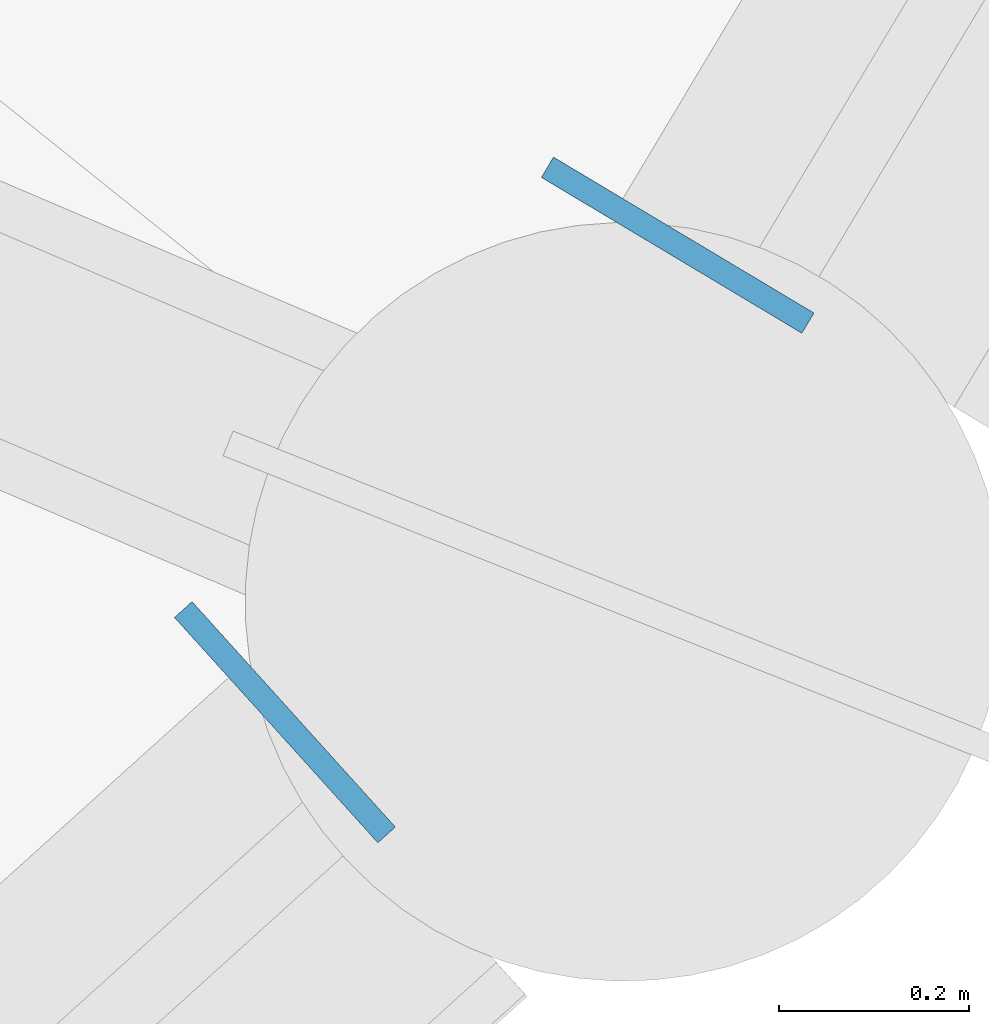
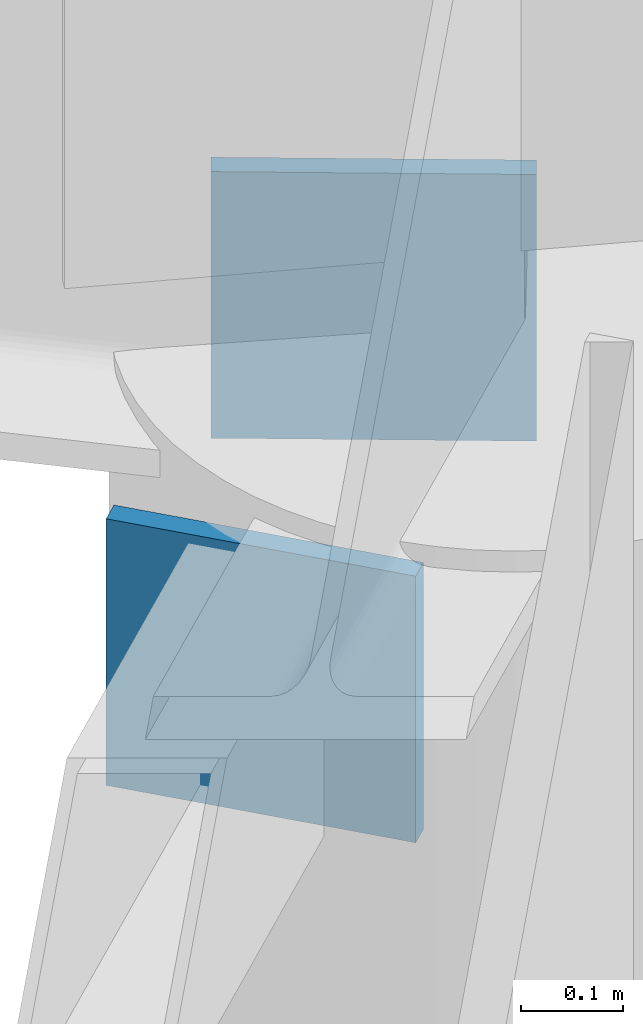
# One storey, part 61 of 83: 2 plates.
"""IFC4 building model written with IfcOpenShell, lengths in metres."""

from ifc_helpers import new_model, si_unit, direction, frame, origin, origin_2d, place, context, subcontext, project, spatial, rectangle, extrude, material, layer, layer_set, type_object, element, save


model = new_model("IFC4")

# Units and contexts
model_context = context("Model", 3, precision=1e-05, world=origin(), true_north=direction((0.0, 1.0)))
body_context = subcontext(model_context, "Body", "Model", "MODEL_VIEW")
ifc_project = project(units=[si_unit("LENGTHUNIT", "METRE"), si_unit("AREAUNIT", "SQUARE_METRE"), si_unit("VOLUMEUNIT", "CUBIC_METRE"), si_unit("PLANEANGLEUNIT", "RADIAN"), si_unit("MASSUNIT", "GRAM", prefix="KILO")], contexts=[model_context])

# Site, building, storey
site_placement = place(None, origin())
site = spatial("IfcSite", under=ifc_project, at=site_placement, CompositionType="ELEMENT")
building_placement = place(site_placement, origin())
building = spatial("IfcBuilding", under=site, at=building_placement, Name="Kivolera Central Railway Station", CompositionType="ELEMENT")
storey_placement = place(building_placement, frame((0.0, 0.0, 14.39990234375)))
storey = spatial("IfcBuildingStorey", under=building, at=storey_placement, Name="L03", CompositionType="ELEMENT", Elevation=14.39990234375)

# Plates
ifc_material = material(Name="Steel S355", Category="steel")
ifc_layer = layer(ifc_material, 0.02490234375, Name="Steel S355")
ifc_layer_set = layer_set([ifc_layer], Name="Steel S355")
plate_type = type_object("IfcPlateType", Name="PLT-CAP-320", PredefinedType="SHEET", material=ifc_layer_set)
for number, where, z_axis, x_axis, name in (
    (1, (108.675048828125, 71.873046875, 0.735107421875), (0.742405923756, 0.66995032978, 0.0), (-0.66995032978, 0.742405923756, 0.0), "Hollow section end-cap plate NP-CAP1"),
    (2, (109.089111328125, 72.3759765625, 0.735107421875), (0.513369912177, 0.858167427296, 0.0), (-0.858167427296, 0.513369912177, 0.0), "Hollow section end-cap plate NP-CAP1"),
):
    element("IfcPlate", number, at=place(storey_placement, frame(where, z_axis=z_axis, x_axis=x_axis)), inside=storey, type_object=plate_type, Name=name, PredefinedType="SHEET", context=body_context, shape_type="SweptSolid", body=[
        extrude(rectangle(XDim=0.320068359375, YDim=0.320068359375, at=origin_2d()), frame((0.0, 0.0, -0.012451171875)), (0.0, 0.0, 1.0), 0.02490234375),
    ])

save(model, "model.ifc")
